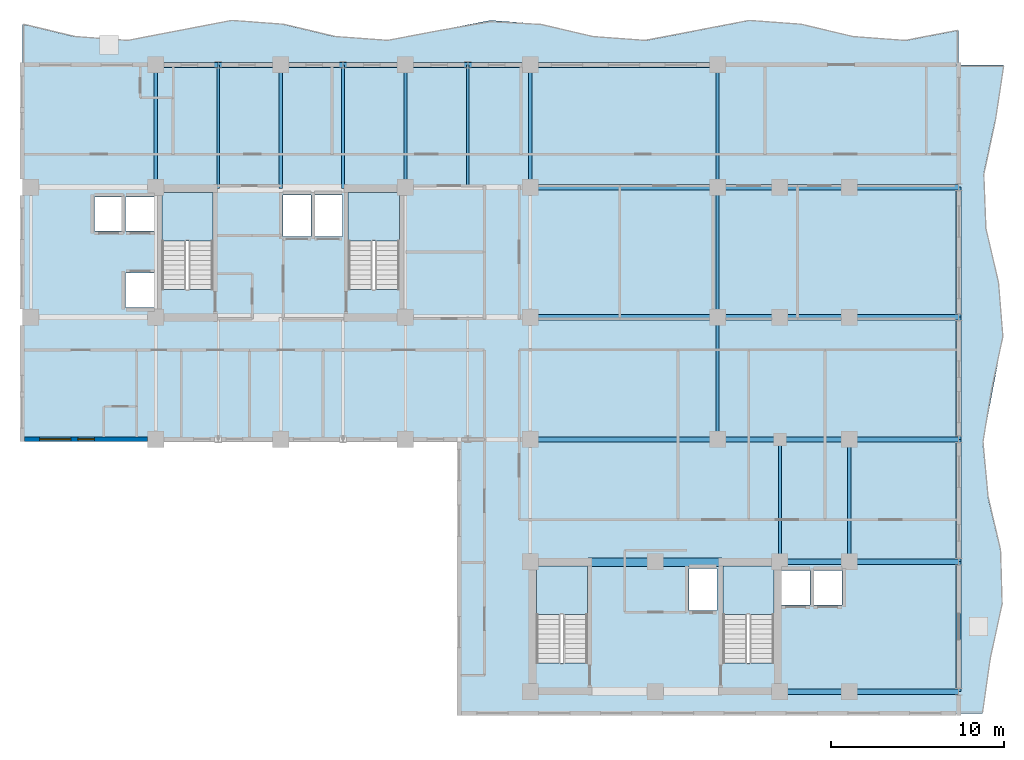
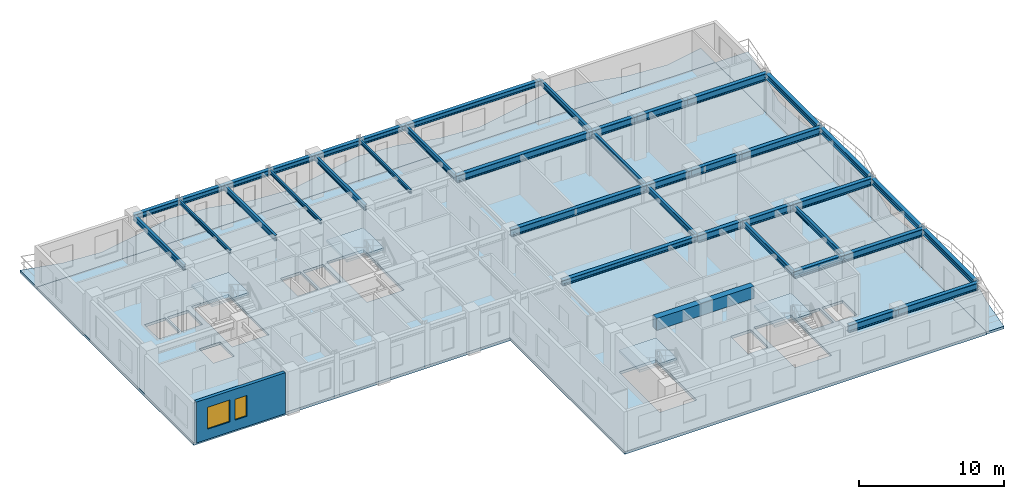
# One storey, part 4 of 13: 40 beams, 7 slabs, 2 windows, 1 wall, 2 openings, 4 elements without a shape of their own.
"""IFC4 building model written with IfcOpenShell, lengths in metres."""

from ifc_helpers import new_model, si_unit, direction, frame, frame_2d, origin, origin_2d, place, context, subcontext, project, spatial, polyline, rectangle, i_section, outline, extrude, source, transform, mapped, material, layer, layer_set, material_profile, profile_set, type_object, element, fill, aggregate, save


model = new_model("IFC4")

# Units and contexts
model_context = context("Model", 3, precision=1e-05, world=origin(), true_north=direction((0.0, 1.0)))
body_context = subcontext(model_context, "Body", "Model", "MODEL_VIEW")
ifc_project = project(units=[si_unit("LENGTHUNIT", "METRE"), si_unit("AREAUNIT", "SQUARE_METRE"), si_unit("VOLUMEUNIT", "CUBIC_METRE"), si_unit("PLANEANGLEUNIT", "RADIAN"), si_unit("MASSUNIT", "GRAM", prefix="KILO")], contexts=[model_context])

# Site, building, storey
site_placement = place(None, origin())
site = spatial("IfcSite", under=ifc_project, at=site_placement, CompositionType="ELEMENT")
building_placement = place(site_placement, origin())
building = spatial("IfcBuilding", under=site, at=building_placement, Name="Kaliganga Portal Commons", CompositionType="ELEMENT")
storey_placement = place(building_placement, frame((0.0, 0.0, 209.199951171875)))
storey = spatial("IfcBuildingStorey", under=building, at=storey_placement, Name="L53", CompositionType="ELEMENT", Elevation=209.199951171875)

# Beams
ifc_material_1 = material(Name="Concrete C50/60", Category="concrete")
ifc_material_profile_1 = material_profile(ifc_material_1, rectangle(XDim=0.5, YDim=1.0, at=origin_2d()), Name="RC 500x1000")
ifc_profile_set_1 = profile_set([ifc_material_profile_1], Name="Concrete C50/60")
beam_type_1 = type_object("IfcBeamType", Name="BM-CPL-1000", PredefinedType="LINTEL", material=ifc_profile_set_1)
shared_shape_1 = source(origin(), body_context, "Body", "SweptSolid", [
    extrude(rectangle(XDim=0.5, YDim=1.0, at=origin_2d()), origin(), (0.0, 0.0, 1.0), 7.739990234375),
])
beam_1_placement = place(storey_placement, frame((39.330078125, 14.52490234375, 2.969970703125), z_axis=(1.0, 0.0, 0.0), x_axis=(0.0, 1.0, 0.0)))
element("IfcBeam", 1, at=beam_1_placement, inside=storey, type_object=beam_type_1, Name="BM CPL COREB L53 N", PredefinedType="LINTEL", context=body_context, shape_type="MappedRepresentation", body=[
    mapped(shared_shape_1, transform((0.0, 0.0, 0.0), x_axis=(1.0, 0.0, 0.0), y_axis=(0.0, 1.0, 0.0), z_axis=(0.0, 0.0, 1.0), scale=1.0)),
])
ifc_material_2 = material(Name="Structural steel S355J2", Category="steel")
ifc_material_profile_2 = material_profile(ifc_material_2, i_section(OverallWidth=0.300048828125, OverallDepth=0.449951171875, WebThickness=0.013916015625, FlangeThickness=0.02587890625, FilletRadius=0.027099609375, at=origin_2d()), Name="HE 450 B")
ifc_profile_set_2 = profile_set([ifc_material_profile_2], Name="Structural steel S355J2 wide-flange")
beam_type_2 = type_object("IfcBeamType", Name="BM-SPAND-450", PredefinedType="SPANDREL", material=ifc_profile_set_2)
shared_shape_2 = source(origin(), body_context, "Body", "SweptSolid", [
    extrude(i_section(OverallWidth=0.300048828125, OverallDepth=0.449951171875, WebThickness=0.013916015625, FlangeThickness=0.02587890625, FilletRadius=0.027099609375, at=origin_2d()), origin(), (0.0, 0.0, 1.0), 3.60009765625),
])
for number, where, z_axis, x_axis, name in (
    (2, (14.39990234375, 43.199951171875, 3.2451171875), (1.0, 0.0, 0.0), (0.0, 1.0, 0.0), "BM SP L53 AN 1"),
    (3, (18.0, 43.199951171875, 3.2451171875), (1.0, 0.0, 0.0), (0.0, 1.0, 0.0), "BM SP L53 AN 2"),
    (4, (25.199951171875, 43.199951171875, 3.2451171875), (1.0, 0.0, 0.0), (0.0, 1.0, 0.0), "BM SP L53 AN 4"),
    (5, (32.39990234375, 43.199951171875, 3.2451171875), (1.0, 0.0, 0.0), (0.0, 1.0, 0.0), "BM SP L53 AN 6"),
):
    element("IfcBeam", number, at=place(storey_placement, frame(where, z_axis=z_axis, x_axis=x_axis)), inside=storey, type_object=beam_type_2, Name=name, PredefinedType="SPANDREL", context=body_context, shape_type="MappedRepresentation", body=[
        mapped(shared_shape_2, transform((0.0, 0.0, 0.0), x_axis=(1.0, 0.0, 0.0), y_axis=(0.0, 1.0, 0.0), z_axis=(0.0, 0.0, 1.0), scale=1.0)),
    ])
shared_shape_3 = source(origin(), body_context, "Body", "SweptSolid", [
    extrude(i_section(OverallWidth=0.300048828125, OverallDepth=0.449951171875, WebThickness=0.013916015625, FlangeThickness=0.02587890625, FilletRadius=0.027099609375, at=origin_2d()), origin(), (0.0, 0.0, 1.0), 3.599853515625),
])
for number, where, z_axis, x_axis, name in (
    (6, (21.60009765625, 43.199951171875, 3.2451171875), (1.0, 0.0, 0.0), (0.0, 1.0, 0.0), "BM SP L53 AN 3"),
    (7, (28.800048828125, 43.199951171875, 3.2451171875), (1.0, 0.0, 0.0), (0.0, 1.0, 0.0), "BM SP L53 AN 5"),
):
    element("IfcBeam", number, at=place(storey_placement, frame(where, z_axis=z_axis, x_axis=x_axis)), inside=storey, type_object=beam_type_2, Name=name, PredefinedType="SPANDREL", context=body_context, shape_type="MappedRepresentation", body=[
        mapped(shared_shape_3, transform((0.0, 0.0, 0.0), x_axis=(1.0, 0.0, 0.0), y_axis=(0.0, 1.0, 0.0), z_axis=(0.0, 0.0, 1.0), scale=1.0)),
    ])
shared_shape_4 = source(origin(), body_context, "Body", "SweptSolid", [
    extrude(i_section(OverallWidth=0.300048828125, OverallDepth=0.449951171875, WebThickness=0.013916015625, FlangeThickness=0.02587890625, FilletRadius=0.027099609375, at=origin_2d()), origin(), (0.0, 0.0, 1.0), 10.800048828125),
])
for number, where, z_axis, x_axis, name in (
    (8, (36.0, 43.199951171875, 3.2451171875), (1.0, 0.0, 0.0), (0.0, 1.0, 0.0), "BM SP L53 AN 7"),
    (9, (36.0, 21.60009765625, 3.2451171875), (1.0, 0.0, 0.0), (0.0, 1.0, 0.0), "BM SP L53 AS 7"),
):
    element("IfcBeam", number, at=place(storey_placement, frame(where, z_axis=z_axis, x_axis=x_axis)), inside=storey, type_object=beam_type_2, Name=name, PredefinedType="SPANDREL", context=body_context, shape_type="MappedRepresentation", body=[
        mapped(shared_shape_4, transform((0.0, 0.0, 0.0), x_axis=(1.0, 0.0, 0.0), y_axis=(0.0, 1.0, 0.0), z_axis=(0.0, 0.0, 1.0), scale=1.0)),
    ])
shared_shape_5 = source(origin(), body_context, "Body", "SweptSolid", [
    extrude(i_section(OverallWidth=0.300048828125, OverallDepth=0.449951171875, WebThickness=0.013916015625, FlangeThickness=0.02587890625, FilletRadius=0.027099609375, at=origin_2d()), origin(), (0.0, 0.0, 1.0), 7.5),
])
for number, where, z_axis, x_axis, name in (
    (10, (60.699951171875, 7.050048828125, 3.2451171875), (0.0, 1.0, 0.0), (-1.0, 0.0, 0.0), "BM SP L53 BE 1"),
    (11, (60.699951171875, 28.64990234375, 3.2451171875), (0.0, 1.0, 0.0), (-1.0, 0.0, 0.0), "BM SP L53 BE 4"),
):
    element("IfcBeam", number, at=place(storey_placement, frame(where, z_axis=z_axis, x_axis=x_axis)), inside=storey, type_object=beam_type_2, Name=name, PredefinedType="SPANDREL", context=body_context, shape_type="MappedRepresentation", body=[
        mapped(shared_shape_5, transform((0.0, 0.0, 0.0), x_axis=(1.0, 0.0, 0.0), y_axis=(0.0, 1.0, 0.0), z_axis=(0.0, 0.0, 1.0), scale=1.0)),
    ])
shared_shape_6 = source(origin(), body_context, "Body", "SweptSolid", [
    extrude(i_section(OverallWidth=0.300048828125, OverallDepth=0.449951171875, WebThickness=0.013916015625, FlangeThickness=0.02587890625, FilletRadius=0.027099609375, at=origin_2d()), origin(), (0.0, 0.0, 1.0), 7.050048828125),
])
beam_2_placement = place(storey_placement, frame((60.699951171875, 14.550048828125, 3.2451171875), z_axis=(0.0, 1.0, 0.0), x_axis=(-1.0, 0.0, 0.0)))
element("IfcBeam", 12, at=beam_2_placement, inside=storey, type_object=beam_type_2, Name="BM SP L53 BE 2", PredefinedType="SPANDREL", context=body_context, shape_type="MappedRepresentation", body=[
    mapped(shared_shape_6, transform((0.0, 0.0, 0.0), x_axis=(1.0, 0.0, 0.0), y_axis=(0.0, 1.0, 0.0), z_axis=(0.0, 0.0, 1.0), scale=1.0)),
])
shared_shape_7 = source(origin(), body_context, "Body", "SweptSolid", [
    extrude(i_section(OverallWidth=0.300048828125, OverallDepth=0.449951171875, WebThickness=0.013916015625, FlangeThickness=0.02587890625, FilletRadius=0.027099609375, at=origin_2d()), origin(), (0.0, 0.0, 1.0), 7.0498046875),
])
beam_3_placement = place(storey_placement, frame((60.699951171875, 21.60009765625, 3.2451171875), z_axis=(0.0, 1.0, 0.0), x_axis=(-1.0, 0.0, 0.0)))
element("IfcBeam", 13, at=beam_3_placement, inside=storey, type_object=beam_type_2, Name="BM SP L53 BE 3", PredefinedType="SPANDREL", context=body_context, shape_type="MappedRepresentation", body=[
    mapped(shared_shape_7, transform((0.0, 0.0, 0.0), x_axis=(1.0, 0.0, 0.0), y_axis=(0.0, 1.0, 0.0), z_axis=(0.0, 0.0, 1.0), scale=1.0)),
])
ifc_material_profile_3 = material_profile(ifc_material_2, i_section(OverallWidth=0.300048828125, OverallDepth=0.60009765625, WebThickness=0.015380859375, FlangeThickness=0.030029296875, FilletRadius=0.027099609375, at=origin_2d()), Name="HE 600 B")
ifc_profile_set_3 = profile_set([ifc_material_profile_3], Name="Structural steel S355J2 wide-flange")
beam_type_3 = type_object("IfcBeamType", Name="BM-GIRD-600", PredefinedType="USERDEFINED", material=ifc_profile_set_3)
shared_shape_8 = source(origin(), body_context, "Body", "SweptSolid", [
    extrude(i_section(OverallWidth=0.300048828125, OverallDepth=0.60009765625, WebThickness=0.015380859375, FlangeThickness=0.030029296875, FilletRadius=0.027099609375, at=origin_2d()), origin(), (0.0, 0.0, 1.0), 10.800048828125),
])
for number, where, z_axis, x_axis, name in (
    (14, (36.0, 28.64990234375, 3.170166015625), (1.0, 0.0, 0.0), (0.0, 1.0, 0.0), "BM G L53 WAE_S 2"),
    (15, (36.0, 36.14990234375, 3.170166015625), (1.0, 0.0, 0.0), (0.0, 1.0, 0.0), "BM G L53 WAE_N 2"),
):
    element("IfcBeam", number, at=place(storey_placement, frame(where, z_axis=z_axis, x_axis=x_axis)), inside=storey, type_object=beam_type_3, Name=name, ObjectType="GIRDER", PredefinedType="USERDEFINED", context=body_context, shape_type="MappedRepresentation", body=[
        mapped(shared_shape_8, transform((0.0, 0.0, 0.0), x_axis=(1.0, 0.0, 0.0), y_axis=(0.0, 1.0, 0.0), z_axis=(0.0, 0.0, 1.0), scale=1.0)),
    ])
shared_shape_9 = source(origin(), body_context, "Body", "SweptSolid", [
    extrude(i_section(OverallWidth=0.300048828125, OverallDepth=0.60009765625, WebThickness=0.015380859375, FlangeThickness=0.030029296875, FilletRadius=0.027099609375, at=origin_2d()), origin(), (0.0, 0.0, 1.0), 4.0),
])
for number, where, z_axis, x_axis, name in (
    (16, (50.39990234375, 7.050048828125, 3.170166015625), (1.0, 0.0, 0.0), (0.0, 1.0, 0.0), "BM G L53 BKE70 1"),
    (17, (50.39990234375, 14.550048828125, 3.170166015625), (1.0, 0.0, 0.0), (0.0, 1.0, 0.0), "BM G L53 BKE146 1"),
    (18, (50.39990234375, 21.60009765625, 3.170166015625), (1.0, 0.0, 0.0), (0.0, 1.0, 0.0), "BM G L53 BKE216 2"),
    (19, (50.39990234375, 28.64990234375, 3.170166015625), (1.0, 0.0, 0.0), (0.0, 1.0, 0.0), "BM G L53 BKE286 2"),
    (20, (50.39990234375, 36.14990234375, 3.170166015625), (1.0, 0.0, 0.0), (0.0, 1.0, 0.0), "BM G L53 BKE362 2"),
):
    element("IfcBeam", number, at=place(storey_placement, frame(where, z_axis=z_axis, x_axis=x_axis)), inside=storey, type_object=beam_type_3, Name=name, ObjectType="GIRDER", PredefinedType="USERDEFINED", context=body_context, shape_type="MappedRepresentation", body=[
        mapped(shared_shape_9, transform((0.0, 0.0, 0.0), x_axis=(1.0, 0.0, 0.0), y_axis=(0.0, 1.0, 0.0), z_axis=(0.0, 0.0, 1.0), scale=1.0)),
    ])
shared_shape_10 = source(origin(), body_context, "Body", "SweptSolid", [
    extrude(i_section(OverallWidth=0.300048828125, OverallDepth=0.60009765625, WebThickness=0.015380859375, FlangeThickness=0.030029296875, FilletRadius=0.027099609375, at=origin_2d()), origin(), (0.0, 0.0, 1.0), 3.599853515625),
])
for number, where, z_axis, x_axis, name in (
    (21, (46.800048828125, 21.60009765625, 3.170166015625), (1.0, 0.0, 0.0), (0.0, 1.0, 0.0), "BM G L53 BKE216 1"),
    (22, (46.800048828125, 28.64990234375, 3.170166015625), (1.0, 0.0, 0.0), (0.0, 1.0, 0.0), "BM G L53 BKE286 1"),
    (23, (46.800048828125, 36.14990234375, 3.170166015625), (1.0, 0.0, 0.0), (0.0, 1.0, 0.0), "BM G L53 BKE362 1"),
):
    element("IfcBeam", number, at=place(storey_placement, frame(where, z_axis=z_axis, x_axis=x_axis)), inside=storey, type_object=beam_type_3, Name=name, ObjectType="GIRDER", PredefinedType="USERDEFINED", context=body_context, shape_type="MappedRepresentation", body=[
        mapped(shared_shape_10, transform((0.0, 0.0, 0.0), x_axis=(1.0, 0.0, 0.0), y_axis=(0.0, 1.0, 0.0), z_axis=(0.0, 0.0, 1.0), scale=1.0)),
    ])
ifc_material_profile_4 = material_profile(ifc_material_2, i_section(OverallWidth=0.18994140625, OverallDepth=0.449951171875, WebThickness=0.009521484375, FlangeThickness=0.0146484375, FilletRadius=0.02099609375, at=origin_2d()), Name="IPE 450")
ifc_profile_set_4 = profile_set([ifc_material_profile_4], Name="Structural steel S355J2 wide-flange")
beam_type_4 = type_object("IfcBeamType", Name="BM-FLR-450", PredefinedType="BEAM", material=ifc_profile_set_4)
shared_shape_11 = source(origin(), body_context, "Body", "SweptSolid", [
    extrude(i_section(OverallWidth=0.18994140625, OverallDepth=0.449951171875, WebThickness=0.009521484375, FlangeThickness=0.0146484375, FilletRadius=0.02099609375, at=origin_2d()), origin(), (0.0, 0.0, 1.0), 7.5),
])
beam_4_placement = place(storey_placement, frame((46.800048828125, 28.64990234375, 3.2451171875), z_axis=(0.0, 1.0, 0.0), x_axis=(-1.0, 0.0, 0.0)))
element("IfcBeam", 24, at=beam_4_placement, inside=storey, type_object=beam_type_4, Name="BM G L53 AM468", PredefinedType="BEAM", context=body_context, shape_type="MappedRepresentation", body=[
    mapped(shared_shape_11, transform((0.0, 0.0, 0.0), x_axis=(1.0, 0.0, 0.0), y_axis=(0.0, 1.0, 0.0), z_axis=(0.0, 0.0, 1.0), scale=1.0)),
])
shared_shape_12 = source(origin(), body_context, "Body", "SweptSolid", [
    extrude(i_section(OverallWidth=0.18994140625, OverallDepth=0.449951171875, WebThickness=0.009521484375, FlangeThickness=0.0146484375, FilletRadius=0.02099609375, at=origin_2d()), origin(), (0.0, 0.0, 1.0), 7.050048828125),
])
for number, where, z_axis, x_axis, name in (
    (25, (14.39990234375, 36.14990234375, 3.2451171875), (0.0, 1.0, 0.0), (-1.0, 0.0, 0.0), "BM G L53 AN144"),
    (26, (28.800048828125, 36.14990234375, 3.2451171875), (0.0, 1.0, 0.0), (-1.0, 0.0, 0.0), "BM G L53 AN288"),
    (27, (36.0, 36.14990234375, 3.2451171875), (0.0, 1.0, 0.0), (-1.0, 0.0, 0.0), "BM G L53 AN360"),
    (28, (46.800048828125, 36.14990234375, 3.2451171875), (0.0, 1.0, 0.0), (-1.0, 0.0, 0.0), "BM G L53 AN468"),
    (29, (50.39990234375, 14.550048828125, 3.2451171875), (0.0, 1.0, 0.0), (-1.0, 0.0, 0.0), "BM G L53 BNK504"),
    (30, (54.39990234375, 14.550048828125, 3.2451171875), (0.0, 1.0, 0.0), (-1.0, 0.0, 0.0), "BM G L53 BNK544"),
):
    element("IfcBeam", number, at=place(storey_placement, frame(where, z_axis=z_axis, x_axis=x_axis)), inside=storey, type_object=beam_type_4, Name=name, PredefinedType="BEAM", context=body_context, shape_type="MappedRepresentation", body=[
        mapped(shared_shape_12, transform((0.0, 0.0, 0.0), x_axis=(1.0, 0.0, 0.0), y_axis=(0.0, 1.0, 0.0), z_axis=(0.0, 0.0, 1.0), scale=1.0)),
    ])
shared_shape_13 = source(origin(), body_context, "Body", "SweptSolid", [
    extrude(i_section(OverallWidth=0.18994140625, OverallDepth=0.449951171875, WebThickness=0.009521484375, FlangeThickness=0.0146484375, FilletRadius=0.02099609375, at=origin_2d()), origin(), (0.0, 0.0, 1.0), 7.0498046875),
])
beam_5_placement = place(storey_placement, frame((46.800048828125, 21.60009765625, 3.2451171875), z_axis=(0.0, 1.0, 0.0), x_axis=(-1.0, 0.0, 0.0)))
element("IfcBeam", 31, at=beam_5_placement, inside=storey, type_object=beam_type_4, Name="BM G L53 AS468", PredefinedType="BEAM", context=body_context, shape_type="MappedRepresentation", body=[
    mapped(shared_shape_13, transform((0.0, 0.0, 0.0), x_axis=(1.0, 0.0, 0.0), y_axis=(0.0, 1.0, 0.0), z_axis=(0.0, 0.0, 1.0), scale=1.0)),
])
ifc_material_profile_5 = material_profile(ifc_material_2, i_section(OverallWidth=0.14990234375, OverallDepth=0.300048828125, WebThickness=0.007080078125, FlangeThickness=0.0107421875, FilletRadius=0.014892578125, at=origin_2d()), Name="IPE 300")
ifc_profile_set_5 = profile_set([ifc_material_profile_5], Name="Structural steel S355J2 wide-flange")
beam_type_5 = type_object("IfcBeamType", Name="BM-JST-300", PredefinedType="JOIST", material=ifc_profile_set_5)
shared_shape_14 = source(origin(), body_context, "Body", "SweptSolid", [
    extrude(i_section(OverallWidth=0.14990234375, OverallDepth=0.300048828125, WebThickness=0.007080078125, FlangeThickness=0.0107421875, FilletRadius=0.014892578125, at=origin_2d()), origin(), (0.0, 0.0, 1.0), 7.125),
])
for number, where, z_axis, x_axis, name in (
    (32, (18.0, 36.074951171875, 3.320068359375), (0.0, 1.0, 0.0), (-1.0, 0.0, 0.0), "BM G L53 AN180"),
    (33, (25.199951171875, 36.074951171875, 3.320068359375), (0.0, 1.0, 0.0), (-1.0, 0.0, 0.0), "BM G L53 AN252"),
):
    element("IfcBeam", number, at=place(storey_placement, frame(where, z_axis=z_axis, x_axis=x_axis)), inside=storey, type_object=beam_type_5, Name=name, PredefinedType="JOIST", context=body_context, shape_type="MappedRepresentation", body=[
        mapped(shared_shape_14, transform((0.0, 0.0, 0.0), x_axis=(1.0, 0.0, 0.0), y_axis=(0.0, 1.0, 0.0), z_axis=(0.0, 0.0, 1.0), scale=1.0)),
    ])
shared_shape_15 = source(origin(), body_context, "Body", "SweptSolid", [
    extrude(i_section(OverallWidth=0.18994140625, OverallDepth=0.449951171875, WebThickness=0.009521484375, FlangeThickness=0.0146484375, FilletRadius=0.02099609375, at=origin_2d()), origin(), (0.0, 0.0, 1.0), 7.125),
])
beam_6_placement = place(storey_placement, frame((21.60009765625, 36.074951171875, 3.2451171875), z_axis=(0.0, 1.0, 0.0), x_axis=(-1.0, 0.0, 0.0)))
element("IfcBeam", 34, at=beam_6_placement, inside=storey, type_object=beam_type_4, Name="BM G L53 AN216", PredefinedType="BEAM", context=body_context, shape_type="MappedRepresentation", body=[
    mapped(shared_shape_15, transform((0.0, 0.0, 0.0), x_axis=(1.0, 0.0, 0.0), y_axis=(0.0, 1.0, 0.0), z_axis=(0.0, 0.0, 1.0), scale=1.0)),
])
shared_shape_16 = source(origin(), body_context, "Body", "SweptSolid", [
    extrude(i_section(OverallWidth=0.14990234375, OverallDepth=0.300048828125, WebThickness=0.007080078125, FlangeThickness=0.0107421875, FilletRadius=0.014892578125, at=origin_2d()), origin(), (0.0, 0.0, 1.0), 7.050048828125),
])
beam_7_placement = place(storey_placement, frame((32.39990234375, 36.14990234375, 3.320068359375), z_axis=(0.0, 1.0, 0.0), x_axis=(-1.0, 0.0, 0.0)))
element("IfcBeam", 35, at=beam_7_placement, inside=storey, type_object=beam_type_5, Name="BM G L53 AN324", PredefinedType="JOIST", context=body_context, shape_type="MappedRepresentation", body=[
    mapped(shared_shape_16, transform((0.0, 0.0, 0.0), x_axis=(1.0, 0.0, 0.0), y_axis=(0.0, 1.0, 0.0), z_axis=(0.0, 0.0, 1.0), scale=1.0)),
])
shared_shape_17 = source(origin(), body_context, "Body", "SweptSolid", [
    extrude(i_section(OverallWidth=0.300048828125, OverallDepth=0.60009765625, WebThickness=0.015380859375, FlangeThickness=0.030029296875, FilletRadius=0.027099609375, at=origin_2d()), origin(), (0.0, 0.0, 1.0), 6.300048828125),
])
for number, where, z_axis, x_axis, name in (
    (36, (54.39990234375, 7.050048828125, 3.170166015625), (1.0, 0.0, 0.0), (0.0, 1.0, 0.0), "BM G L53 BKE70 2"),
    (37, (54.39990234375, 14.550048828125, 3.170166015625), (1.0, 0.0, 0.0), (0.0, 1.0, 0.0), "BM G L53 BKE146 2"),
    (38, (54.39990234375, 21.60009765625, 3.170166015625), (1.0, 0.0, 0.0), (0.0, 1.0, 0.0), "BM G L53 BKE216 3"),
    (39, (54.39990234375, 28.64990234375, 3.170166015625), (1.0, 0.0, 0.0), (0.0, 1.0, 0.0), "BM G L53 BKE286 3"),
    (40, (54.39990234375, 36.14990234375, 3.170166015625), (1.0, 0.0, 0.0), (0.0, 1.0, 0.0), "BM G L53 BKE362 3"),
):
    element("IfcBeam", number, at=place(storey_placement, frame(where, z_axis=z_axis, x_axis=x_axis)), inside=storey, type_object=beam_type_3, Name=name, ObjectType="GIRDER", PredefinedType="USERDEFINED", context=body_context, shape_type="MappedRepresentation", body=[
        mapped(shared_shape_17, transform((0.0, 0.0, 0.0), x_axis=(1.0, 0.0, 0.0), y_axis=(0.0, 1.0, 0.0), z_axis=(0.0, 0.0, 1.0), scale=1.0)),
    ])

# Slabs
ifc_material_3 = material(Name="Concrete C40/50", Category="concrete")
ifc_layer_1 = layer(ifc_material_3, 0.2099609375)
ifc_layer_set_1 = layer_set([ifc_layer_1], Name="Concrete C40/50")
slab_type_1 = type_object("IfcSlabType", Name="SLB-BALC-210", PredefinedType="FLOOR", material=ifc_layer_set_1)
slab_1_placement = place(storey_placement, frame((0.0, 0.0, -0.2099609375)))
element("IfcSlab", 41, at=slab_1_placement, inside=storey, type_object=slab_type_1, Name="Scalloped Tree-Planter Balcony Slab L53 balc_north", PredefinedType="FLOOR", context=body_context, shape_type="SweptSolid", body=[
    extrude(outline(polyline([(60.699951171875, 43.199951171875), (60.699951171875, 45.19091796875), (57.699951171875, 44.61181640625), (54.699951171875, 44.8330078125), (51.699951171875, 45.549072265625), (48.699951171875, 45.770263671875), (45.699951171875, 45.19091796875), (42.699951171875, 44.61181640625), (39.699951171875, 44.8330078125), (36.699951171875, 45.549072265625), (33.699951171875, 45.770263671875), (30.699951171875, 45.19091796875), (27.699951171875, 44.61181640625), (24.699951171875, 44.8330078125), (21.699951171875, 45.549072265625), (18.699951171875, 45.770263671875), (15.699951171875, 45.19091796875), (12.699951171875, 44.61181640625), (9.699951171875, 44.8330078125), (6.699951171875, 45.549072265625), (6.699951171875, 43.199951171875), (60.699951171875, 43.199951171875)])), origin(), (0.0, 0.0, 1.0), 0.2099609375),
])
slab_2_placement = place(storey_placement, frame((0.0, 0.0, -0.2099609375)))
element("IfcSlab", 42, at=slab_2_placement, inside=storey, type_object=slab_type_1, Name="Scalloped Tree-Planter Balcony Slab L53 balc_east", PredefinedType="FLOOR", context=body_context, shape_type="SweptSolid", body=[
    extrude(outline(polyline([(60.699951171875, 5.800048828125), (62.08203125, 5.800048828125), (62.53125, 8.916748046875), (63.21630859375, 12.033203125), (63.126220703125, 15.14990234375), (62.393798828125, 18.2666015625), (62.10009765625, 21.38330078125), (62.67822265625, 24.5), (63.275146484375, 27.61669921875), (63.010009765625, 30.7333984375), (62.274169921875, 33.85009765625), (62.1533203125, 36.966796875), (62.825927734375, 40.083251953125), (63.299560546875, 43.199951171875), (60.699951171875, 43.199951171875), (60.699951171875, 5.800048828125)])), origin(), (0.0, 0.0, 1.0), 0.2099609375),
])

# Stair, slab
stair_type = type_object("IfcStairType", Name="ST-CORE-DOGLEG", PredefinedType="HALF_TURN_STAIR", material=ifc_material_3)
stair_1_placement = place(storey_placement, origin())
stair_1 = element("IfcStair", 43, at=stair_1_placement, inside=storey, type_object=stair_type, Name="L53 Protected Exit Stair ST-A1", PredefinedType="HALF_TURN_STAIR")
ifc_layer_2 = layer(ifc_material_3, 0.199951171875)
ifc_layer_set_2 = layer_set([ifc_layer_2], Name="Concrete C40/50")
slab_type_2 = type_object("IfcSlabType", Name="SLB-STAIR-LND", PredefinedType="LANDING", material=ifc_layer_set_2)
slab_3_placement = place(storey_placement, frame((0.0, 0.0, 1.650146484375)))
slab_3 = element("IfcSlab", 44, at=slab_3_placement, type_object=slab_type_2, Name="ST-A1 landing 1", PredefinedType="LANDING", context=body_context, shape_type="SweptSolid", body=[
    extrude(outline(polyline([(17.699951171875, 33.050048828125), (17.699951171875, 35.85009765625), (14.75, 35.85009765625), (14.75, 33.050048828125), (17.699951171875, 33.050048828125)])), origin(), (0.0, 0.0, 1.0), 0.199951171875),
])
aggregate(stair_1, [slab_3])

stair_2_placement = place(storey_placement, origin())
stair_2 = element("IfcStair", 45, at=stair_2_placement, inside=storey, type_object=stair_type, Name="L53 Protected Exit Stair ST-A2", PredefinedType="HALF_TURN_STAIR")
slab_4_placement = place(storey_placement, frame((0.0, 0.0, 1.650146484375)))
slab_4 = element("IfcSlab", 46, at=slab_4_placement, type_object=slab_type_2, Name="ST-A2 landing 1", PredefinedType="LANDING", context=body_context, shape_type="SweptSolid", body=[
    extrude(outline(polyline([(28.449951171875, 33.050048828125), (28.449951171875, 35.85009765625), (25.5, 35.85009765625), (25.5, 33.050048828125), (28.449951171875, 33.050048828125)])), origin(), (0.0, 0.0, 1.0), 0.199951171875),
])
aggregate(stair_2, [slab_4])

stair_3_placement = place(storey_placement, origin())
stair_3 = element("IfcStair", 47, at=stair_3_placement, inside=storey, type_object=stair_type, Name="L53 Protected Exit Stair ST-B1", PredefinedType="HALF_TURN_STAIR")
slab_5_placement = place(storey_placement, frame((0.0, 0.0, 1.650146484375)))
slab_5 = element("IfcSlab", 48, at=slab_5_placement, type_object=slab_type_2, Name="ST-B1 landing 1", PredefinedType="LANDING", context=body_context, shape_type="SweptSolid", body=[
    extrude(outline(polyline([(39.300048828125, 11.5), (39.300048828125, 14.300048828125), (36.35009765625, 14.300048828125), (36.35009765625, 11.5), (39.300048828125, 11.5)])), origin(), (0.0, 0.0, 1.0), 0.199951171875),
])
aggregate(stair_3, [slab_5])

stair_4_placement = place(storey_placement, origin())
stair_4 = element("IfcStair", 49, at=stair_4_placement, inside=storey, type_object=stair_type, Name="L53 Protected Exit Stair ST-B2", PredefinedType="HALF_TURN_STAIR")
slab_6_placement = place(storey_placement, frame((0.0, 0.0, 1.650146484375)))
slab_6 = element("IfcSlab", 50, at=slab_6_placement, type_object=slab_type_2, Name="ST-B2 landing 1", PredefinedType="LANDING", context=body_context, shape_type="SweptSolid", body=[
    extrude(outline(polyline([(50.050048828125, 11.5), (50.050048828125, 14.300048828125), (47.10009765625, 14.300048828125), (47.10009765625, 11.5), (50.050048828125, 11.5)])), origin(), (0.0, 0.0, 1.0), 0.199951171875),
])
aggregate(stair_4, [slab_6])

# Slab
ifc_layer_3 = layer(ifc_material_3, 0.22998046875)
ifc_layer_set_3 = layer_set([ifc_layer_3], Name="Concrete C40/50")
slab_type_3 = type_object("IfcSlabType", Name="SLB-TWR-230", PredefinedType="FLOOR", material=ifc_layer_set_3)
slab_7_placement = place(storey_placement, frame((0.0, 0.0, -0.22998046875)))
element("IfcSlab", 51, at=slab_7_placement, inside=storey, type_object=slab_type_3, Name="Structural Floor Slab L53", PredefinedType="FLOOR", context=body_context, shape_type="SweptSolid", body=[
    extrude(outline(polyline([(31.89990234375, 5.800048828125), (60.699951171875, 5.800048828125), (60.699951171875, 43.199951171875), (6.699951171875, 43.199951171875), (6.699951171875, 21.60009765625), (31.89990234375, 21.60009765625), (31.89990234375, 5.800048828125)]), holes=[polyline([(14.75, 30.25390625), (14.75, 35.85009765625), (17.699951171875, 35.85009765625), (17.699951171875, 30.25390625), (14.75, 30.25390625)]), polyline([(25.5, 30.25390625), (25.5, 35.85009765625), (28.449951171875, 35.85009765625), (28.449951171875, 30.25390625), (25.5, 30.25390625)]), polyline([(36.35009765625, 8.7041015625), (36.35009765625, 14.300048828125), (39.300048828125, 14.300048828125), (39.300048828125, 8.7041015625), (36.35009765625, 8.7041015625)]), polyline([(47.10009765625, 8.7041015625), (47.10009765625, 14.300048828125), (50.050048828125, 14.300048828125), (50.050048828125, 8.7041015625), (47.10009765625, 8.7041015625)]), polyline([(12.6650390625, 33.614990234375), (12.6650390625, 35.5849609375), (14.3349609375, 35.5849609375), (14.3349609375, 33.614990234375), (12.6650390625, 33.614990234375)]), polyline([(12.6650390625, 29.215087890625), (12.6650390625, 31.18505859375), (14.3349609375, 31.18505859375), (14.3349609375, 29.215087890625), (12.6650390625, 29.215087890625)]), polyline([(10.864990234375, 33.614990234375), (10.864990234375, 35.5849609375), (12.534912109375, 35.5849609375), (12.534912109375, 33.614990234375), (10.864990234375, 33.614990234375)]), polyline([(21.739990234375, 33.2900390625), (21.739990234375, 35.7099609375), (23.360107421875, 35.7099609375), (23.360107421875, 33.2900390625), (21.739990234375, 33.2900390625)]), polyline([(23.5400390625, 33.2900390625), (23.5400390625, 35.7099609375), (25.159912109375, 35.7099609375), (25.159912109375, 33.2900390625), (23.5400390625, 33.2900390625)]), polyline([(50.465087890625, 12.06494140625), (50.465087890625, 14.034912109375), (52.135009765625, 14.034912109375), (52.135009765625, 12.06494140625), (50.465087890625, 12.06494140625)]), polyline([(52.31494140625, 12.06494140625), (52.31494140625, 14.034912109375), (53.985107421875, 14.034912109375), (53.985107421875, 12.06494140625), (52.31494140625, 12.06494140625)]), polyline([(45.139892578125, 11.739990234375), (45.139892578125, 14.159912109375), (46.760009765625, 14.159912109375), (46.760009765625, 11.739990234375), (45.139892578125, 11.739990234375)])]), origin(), (0.0, 0.0, 1.0), 0.22998046875),
])

# Wall, openings, windows
ifc_material_4 = material(Name="Insulated Aluminium-Clad Spandrel Assembly", Category="aluminium")
ifc_layer_4 = layer(ifc_material_4, 0.260009765625)
ifc_layer_set_4 = layer_set([ifc_layer_4], Name="Insulated Aluminium-Clad Spandrel Assembly")
wall_type = type_object("IfcWallType", Name="WL-EXT-SPAND-260", PredefinedType="STANDARD", material=ifc_layer_set_4)
wall_placement = place(storey_placement, frame((13.924072265625, 21.60009765625, 0.0), z_axis=(0.0, 0.0, 1.0), x_axis=(-1.0, 0.0, 0.0)))
wall = element("IfcWall", 52, at=wall_placement, inside=storey, type_object=wall_type, Name="Exterior Envelope Wall L53 P1-E04-S1", PredefinedType="STANDARD", context=body_context, shape_type="SweptSolid", body=[
    extrude(rectangle(XDim=7.089111328125, YDim=0.260009765625, at=frame_2d((3.54443359375, 0.0))), origin(), (0.0, 0.0, 1.0), 3.449951171875),
])
opening_1_placement = place(wall_placement, frame((4.416748046875, 0.0, 0.85009765625)))
opening_1 = element("IfcOpeningElement", 53, at=opening_1_placement, cuts=wall, Name="Opening W-01", PredefinedType="OPENING", context=body_context, shape_type="SweptSolid", body=[
    extrude(rectangle(XDim=1.800048828125, YDim=1.85009765625, at=frame_2d((0.89990234375, 0.925048828125))), frame((0.0, 0.14013671875, 0.0), z_axis=(0.0, -1.0, 0.0), x_axis=(1.0, 0.0, 0.0)), (0.0, 0.0, 1.0), 0.280029296875),
])
opening_2_placement = place(wall_placement, frame((3.069580078125, 0.0, 0.85009765625)))
opening_2 = element("IfcOpeningElement", 54, at=opening_2_placement, cuts=wall, Name="Opening W-04", PredefinedType="OPENING", context=body_context, shape_type="SweptSolid", body=[
    extrude(rectangle(XDim=0.949951171875, YDim=1.75, at=frame_2d((0.47509765625, 0.875))), frame((0.0, 0.14013671875, 0.0), z_axis=(0.0, -1.0, 0.0), x_axis=(1.0, 0.0, 0.0)), (0.0, 0.0, 1.0), 0.280029296875),
])
ifc_material_5 = material(Name="Thermally Broken Aluminium and Low-E Double Glazing", Category="aluminium")
window_type_1 = type_object("IfcWindowType", Name="WIN-NARROW-950", PartitioningType="SINGLE_PANEL", PredefinedType="WINDOW", material=ifc_material_5)
window_1_placement = place(opening_2_placement, origin())
window_1 = element("IfcWindow", 55, at=window_1_placement, inside=storey, type_object=window_type_1, Name="Facade Window L53-P1E04S1-N0", OverallHeight=1.75, OverallWidth=0.949951171875, PartitioningType="SINGLE_PANEL", PredefinedType="WINDOW", context=body_context, shape_type="SweptSolid", body=[
    extrude(rectangle(XDim=0.949951171875, YDim=1.75, at=frame_2d((0.47509765625, 0.875))), frame((0.0, 0.030029296875, 0.0), z_axis=(0.0, -1.0, 0.0), x_axis=(1.0, 0.0, 0.0)), (0.0, 0.0, 1.0), 0.06005859375),
])
fill(opening_2, window_1)
window_type_2 = type_object("IfcWindowType", Name="WIN-STD-1800", PartitioningType="DOUBLE_PANEL_VERTICAL", PredefinedType="WINDOW", material=ifc_material_5)
window_2_placement = place(opening_1_placement, origin())
window_2 = element("IfcWindow", 56, at=window_2_placement, inside=storey, type_object=window_type_2, Name="Facade Window L53-P1E04S1-01", OverallHeight=1.85009765625, OverallWidth=1.800048828125, PartitioningType="SINGLE_PANEL", PredefinedType="WINDOW", context=body_context, shape_type="SweptSolid", body=[
    extrude(rectangle(XDim=1.800048828125, YDim=1.85009765625, at=frame_2d((0.89990234375, 0.925048828125))), frame((0.0, 0.030029296875, 0.0), z_axis=(0.0, -1.0, 0.0), x_axis=(1.0, 0.0, 0.0)), (0.0, 0.0, 1.0), 0.06005859375),
])
fill(opening_1, window_2)

save(model, "model.ifc")
